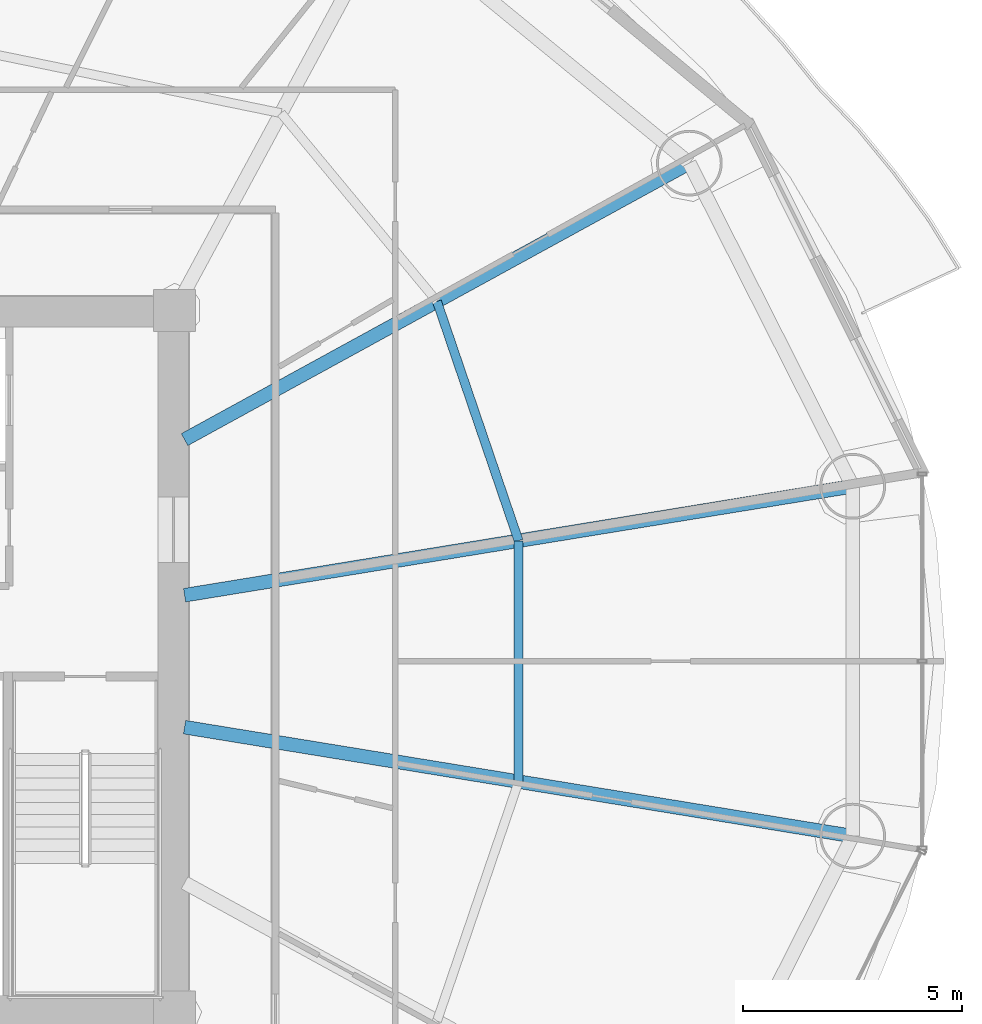
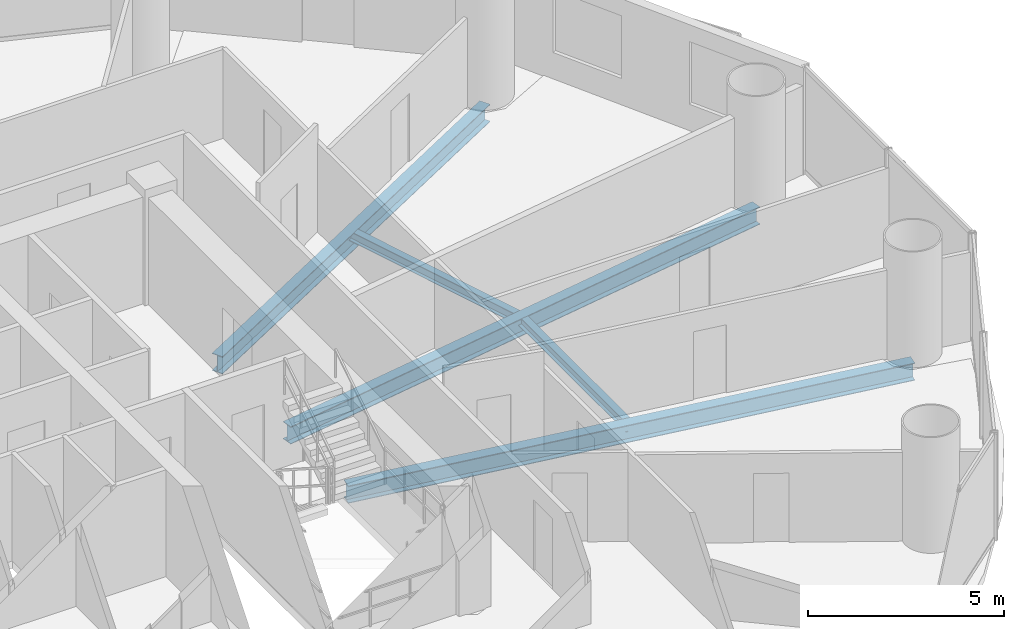
# One storey, part 14 of 29: 5 beams.
"""IFC4 building model written with IfcOpenShell, lengths in metres."""

import ifcopenshell
import ifcopenshell.guid

model = None  # the IFC model being written
_history = None  # IfcOwnerHistory: only IFC2X3 demands one
_inside = {}  # id of a spatial element -> (the spatial element, [elements in it])
_under = {}  # id of a project, library or spatial element -> (it, [spatial elements below it])
_declared = {}  # id of a project -> (the project, [libraries it declares])
_typed = {}  # id of a type object -> (the type object, [elements of that type])
_made_of = {}  # id of a material, layer set ... -> (it, [elements and type objects made of it])


def new_model(schema):
    """Start an empty IFC model of exactly this schema.

    Asked for "IFC4X3", IfcOpenShell would pick the latest addendum, in which some entities
    have other attributes; the version numbers below select the first issue.
    IFC2X3 requires an IfcOwnerHistory on every rooted entity: one is made here for all.
    """
    global model, _history
    if schema == "IFC4X3":
        model = ifcopenshell.file(schema_version=(4, 3, 0, 0))
    else:
        model = ifcopenshell.file(schema=schema)
    _inside.clear()
    _under.clear()
    _declared.clear()
    _typed.clear()
    _made_of.clear()
    _history = None
    if model.schema == "IFC2X3":
        org = make("IfcOrganization", Name="unknown")
        user = make(
            "IfcPersonAndOrganization",
            ThePerson=make("IfcPerson", FamilyName="unknown"),
            TheOrganization=org,
        )
        app = make(
            "IfcApplication",
            ApplicationDeveloper=org,
            Version="unknown",
            ApplicationFullName="unknown",
            ApplicationIdentifier="unknown",
        )
        _history = make(
            "IfcOwnerHistory",
            OwningUser=user,
            OwningApplication=app,
            ChangeAction="ADDED",
            CreationDate=0,
        )
    return model


def make(cls, **values):
    """One entity of the class cls with the attributes given. An attribute that is None is left unset."""
    return model.create_entity(
        cls, **{name: value for name, value in values.items() if value is not None}
    )


def rooted(cls, **values):
    """An entity with a GlobalId (a new one), such as an element, a storey or a relation."""
    return make(cls, GlobalId=ifcopenshell.guid.new(), OwnerHistory=_history, **values)


def si_unit(unit_type, name, prefix=None):
    """IfcSIUnit, for example si_unit("LENGTHUNIT", "METRE", prefix="MILLI")."""
    return make("IfcSIUnit", UnitType=unit_type, Prefix=prefix, Name=name)


def assignment(units):
    """IfcUnitAssignment: the units of a project."""
    return None if units is None else make("IfcUnitAssignment", Units=units)


def point(xyz):
    """IfcCartesianPoint."""
    return None if xyz is None else make("IfcCartesianPoint", Coordinates=xyz)


def direction(xyz):
    """IfcDirection."""
    return None if xyz is None else make("IfcDirection", DirectionRatios=xyz)


def frame(location, z_axis=None, x_axis=None):
    """IfcAxis2Placement3D, a coordinate frame: its origin and axes. An axis left out is left unset."""
    return make(
        "IfcAxis2Placement3D",
        Location=point(location),
        Axis=direction(z_axis),
        RefDirection=direction(x_axis),
    )


def frame_2d(location, x_axis=None):
    """IfcAxis2Placement2D, a coordinate frame in the plane: its origin and x axis."""
    return make(
        "IfcAxis2Placement2D", Location=point(location), RefDirection=direction(x_axis)
    )


def origin():
    """The frame at (0, 0, 0) with its axes left unset."""
    return frame((0.0, 0.0, 0.0))


def origin_2d():
    """The frame at (0, 0) in the plane with its x axis left unset."""
    return frame_2d((0.0, 0.0))


def place(relative_to, where):
    """IfcLocalPlacement: puts the frame where relative to a parent placement (None: the world)."""
    return make(
        "IfcLocalPlacement", PlacementRelTo=relative_to, RelativePlacement=where
    )


def context(
    kind, dimensions, precision=None, world=None, true_north=None, identifier=None
):
    """IfcGeometricRepresentationContext, for example the 3D "Model" context."""
    return make(
        "IfcGeometricRepresentationContext",
        ContextIdentifier=identifier,
        ContextType=kind,
        CoordinateSpaceDimension=dimensions,
        Precision=precision,
        WorldCoordinateSystem=world,
        TrueNorth=true_north,
    )


def subcontext(parent, identifier, kind, view, scale=None):
    """IfcGeometricRepresentationSubContext, for example "Body" below "Model"."""
    return make(
        "IfcGeometricRepresentationSubContext",
        ContextIdentifier=identifier,
        ContextType=kind,
        ParentContext=parent,
        TargetScale=scale,
        TargetView=view,
    )


def project(units=None, contexts=None):
    """IfcProject with its units and contexts."""
    return rooted(
        "IfcProject",
        Name="project",
        RepresentationContexts=contexts,
        UnitsInContext=assignment(units),
    )


def spatial(cls, under=None, at=None, **own):
    """A site, building, storey or space (cls), placed at a placement, below another one or the project."""
    s = rooted(cls, ObjectPlacement=at, **own)
    if under is not None:
        _under.setdefault(under.id(), (under, []))[1].append(s)
    return s


def profile(cls, at=None, kind="AREA", **sizes):
    """A parametric profile (cls). Its sizes go by their IFC names, for example OverallWidth=200.0."""
    return make(cls, ProfileType=kind, Position=at, **sizes)


def i_section(**sizes):
    """IfcIShapeProfileDef."""
    return profile("IfcIShapeProfileDef", **sizes)


def extrude(swept, where, along, depth):
    """IfcExtrudedAreaSolid: the profile swept, set in the frame where, extruded along a direction by depth."""
    return make(
        "IfcExtrudedAreaSolid",
        SweptArea=swept,
        Position=where,
        ExtrudedDirection=direction(along),
        Depth=depth,
    )


def shape(context_of_items, identifier, shape_type, items):
    """IfcShapeRepresentation: the items that make up one representation, for example the "Body"."""
    return make(
        "IfcShapeRepresentation",
        ContextOfItems=context_of_items,
        RepresentationIdentifier=identifier,
        RepresentationType=shape_type,
        Items=items,
    )


def material(Name=None, Category=None):
    """IfcMaterial."""
    return make("IfcMaterial", Name=Name, Category=Category)


def material_profile(
    of_material, cross_section, Name=None, Category=None, Priority=None
):
    """IfcMaterialProfile: a cross section and its material."""
    return make(
        "IfcMaterialProfile",
        Name=Name,
        Material=of_material,
        Profile=cross_section,
        Priority=Priority,
        Category=Category,
    )


def profile_set(profiles, Name=None, composite=None):
    """IfcMaterialProfileSet."""
    return make(
        "IfcMaterialProfileSet",
        Name=Name,
        MaterialProfiles=profiles,
        CompositeProfile=composite,
    )


def made_of(thing, what):
    """Note that an element or type object is made of a material, layer set ...; save() writes the relation."""
    if what is not None:
        _made_of.setdefault(what.id(), (what, []))[1].append(thing)
    return thing


def type_object(cls, material=None, **own):
    """A type object (cls), such as IfcWallType, which elements share."""
    return made_of(rooted(cls, **own), material)


def element(
    cls,
    number,
    at=None,
    inside=None,
    cuts=None,
    type_object=None,
    material=None,
    context=None,
    identifier="Body",
    shape_type=None,
    held_by="IfcProductDefinitionShape",
    body=None,
    shapes=None,
    **own,
):
    """One element of the class cls, such as IfcWall. Its Tag is "e" and its number.

    at: its placement. inside: the storey or other place that contains it. cuts: it is an
    opening in that element (IfcRelVoidsElement). A single representation is given by context,
    identifier, shape_type and body (its items); several are given by shapes. held_by: the class
    of the entity that holds the representations. save() writes the other relations.
    """
    e = rooted(cls, Tag="e%d" % number, ObjectPlacement=at, **own)
    if body is not None:
        shapes = [shape(context, identifier, shape_type, body)]
    if shapes is not None:
        e.Representation = make(held_by, Representations=shapes)
    if inside is not None:
        _inside.setdefault(inside.id(), (inside, []))[1].append(e)
    if cuts is not None:
        rooted(
            "IfcRelVoidsElement", RelatingBuildingElement=cuts, RelatedOpeningElement=e
        )
    if type_object is not None:
        _typed.setdefault(type_object.id(), (type_object, []))[1].append(e)
    return made_of(e, material)


def aggregate(whole, parts):
    """IfcRelAggregates: a whole, such as a stair, and the parts it consists of."""
    return rooted("IfcRelAggregates", RelatingObject=whole, RelatedObjects=parts)


def save(model, path):
    """Write the relations noted so far, then the file.

    IfcRelAggregates (storeys below a building ...), IfcRelContainedInSpatialStructure (elements
    in a storey), IfcRelDefinesByType, IfcRelAssociatesMaterial and IfcRelDeclares: one each for
    every whole, place, type object, material and project.
    """
    for whole, parts in _under.values():
        aggregate(whole, parts)
    for where, things in _inside.values():
        rooted(
            "IfcRelContainedInSpatialStructure",
            RelatedElements=things,
            RelatingStructure=where,
        )
    for kind, things in _typed.values():
        rooted("IfcRelDefinesByType", RelatedObjects=things, RelatingType=kind)
    for what, things in _made_of.values():
        rooted("IfcRelAssociatesMaterial", RelatedObjects=things, RelatingMaterial=what)
    for by, libraries in _declared.values():
        rooted("IfcRelDeclares", RelatingContext=by, RelatedDefinitions=libraries)
    model.write(path)


model = new_model("IFC4")

# Units and contexts
model_context = context("Model", 3, precision=1e-05, world=origin(), true_north=direction((-0.2419218956, 0.970295726276)))
body_context = subcontext(model_context, "Body", "Model", "MODEL_VIEW")
ifc_project = project(units=[si_unit("LENGTHUNIT", "METRE"), si_unit("AREAUNIT", "SQUARE_METRE"), si_unit("VOLUMEUNIT", "CUBIC_METRE"), si_unit("PLANEANGLEUNIT", "RADIAN"), si_unit("MASSUNIT", "GRAM", prefix="KILO")], contexts=[model_context])

# Site, building, storey
site_placement = place(None, origin())
site = spatial("IfcSite", under=ifc_project, at=site_placement, CompositionType="ELEMENT")
building_placement = place(site_placement, origin())
building = spatial("IfcBuilding", under=site, at=building_placement, Name="Cobrevalo Terracotta Tower", CompositionType="ELEMENT")
storey_placement = place(building_placement, frame((0.0, 0.0, 87.0)))
storey = spatial("IfcBuildingStorey", under=building, at=storey_placement, Name="L22", CompositionType="ELEMENT", Elevation=87.0)

# Beams
ifc_material = material(Name="Steel S355", Category="steel")
ifc_material_profile_1 = material_profile(ifc_material, i_section(OverallWidth=0.31201171875, OverallDepth=0.54296875, WebThickness=0.0126953125, FlangeThickness=0.020263671875, at=origin_2d()), Name="W 530x150")
ifc_profile_set_1 = profile_set([ifc_material_profile_1], Name="Steel S355")
beam_type_1 = type_object("IfcBeamType", Name="Structural Beam W 530x150 (Steel S355)", PredefinedType="BEAM", material=ifc_profile_set_1)
beam_1_placement = place(storey_placement, frame((62.470703125, 30.78955078125, -0.54638671875), z_axis=(-0.986970567439, -0.160900898101, 0.0), x_axis=(0.160900898101, -0.986970567439, 0.0)))
element("IfcBeam", 1, at=beam_1_placement, inside=storey, type_object=beam_type_1, Name="L22 radial floor girder 01", PredefinedType="BEAM", context=body_context, shape_type="SweptSolid", body=[
    extrude(i_section(OverallWidth=0.31201171875, OverallDepth=0.54296875, WebThickness=0.0126953125, FlangeThickness=0.020263671875, at=origin_2d()), origin(), (0.0, 0.0, 1.0), 15.44189453125),
])
beam_2_placement = place(storey_placement, frame((58.7451171875, 38.161376953125, -0.54638671875), z_axis=(-0.877080599376, -0.480343233738, 0.0), x_axis=(0.480343233738, -0.877080599376, 0.0)))
element("IfcBeam", 2, at=beam_2_placement, inside=storey, type_object=beam_type_1, Name="L22 radial floor girder 02", PredefinedType="BEAM", context=body_context, shape_type="SweptSolid", body=[
    extrude(i_section(OverallWidth=0.31201171875, OverallDepth=0.54296875, WebThickness=0.0126953125, FlangeThickness=0.020263671875, at=origin_2d()), origin(), (0.0, 0.0, 1.0), 13.12890625),
])
beam_3_placement = place(storey_placement, frame((62.470703125, 22.810302734375, -0.54638671875), z_axis=(-0.986968056587, 0.160916298977, 0.0), x_axis=(-0.160916298977, -0.986968056587, 0.0)))
element("IfcBeam", 3, at=beam_3_placement, inside=storey, type_object=beam_type_1, Name="L22 radial floor girder 16", PredefinedType="BEAM", context=body_context, shape_type="SweptSolid", body=[
    extrude(i_section(OverallWidth=0.31201171875, OverallDepth=0.54296875, WebThickness=0.0126953125, FlangeThickness=0.020263671875, at=origin_2d()), origin(), (0.0, 0.0, 1.0), 15.44189453125),
])
ifc_material_profile_2 = material_profile(ifc_material, i_section(OverallWidth=0.2041015625, OverallDepth=0.305908203125, WebThickness=0.008544921875, FlangeThickness=0.0146484375, at=origin_2d()), Name="W 310x67")
ifc_profile_set_2 = profile_set([ifc_material_profile_2], Name="Steel S355")
beam_type_2 = type_object("IfcBeamType", Name="Structural Joist W 310x67 (Steel S355)", PredefinedType="JOIST", material=ifc_profile_set_2)
beam_4_placement = place(storey_placement, frame((54.850341796875, 29.547119140625, -0.427978515625), z_axis=(-0.322833299398, 0.94645584197, 0.0), x_axis=(-0.94645584197, -0.322833299398, 0.0)))
element("IfcBeam", 4, at=beam_4_placement, inside=storey, type_object=beam_type_2, Name="L22 circumferential secondary floor joist 01", PredefinedType="JOIST", context=body_context, shape_type="SweptSolid", body=[
    extrude(i_section(OverallWidth=0.2041015625, OverallDepth=0.305908203125, WebThickness=0.008544921875, FlangeThickness=0.0146484375, at=origin_2d()), origin(), (0.0, 0.0, 1.0), 5.77001953125),
])
beam_5_placement = place(storey_placement, frame((54.850341796875, 24.052734375, -0.427978515625), z_axis=(0.0, 1.0, 0.0), x_axis=(-1.0, 0.0, 0.0)))
element("IfcBeam", 5, at=beam_5_placement, inside=storey, type_object=beam_type_2, Name="L22 circumferential secondary floor joist 16", PredefinedType="JOIST", context=body_context, shape_type="SweptSolid", body=[
    extrude(i_section(OverallWidth=0.2041015625, OverallDepth=0.305908203125, WebThickness=0.008544921875, FlangeThickness=0.0146484375, at=origin_2d()), origin(), (0.0, 0.0, 1.0), 5.494384765625),
])

save(model, "model.ifc")
